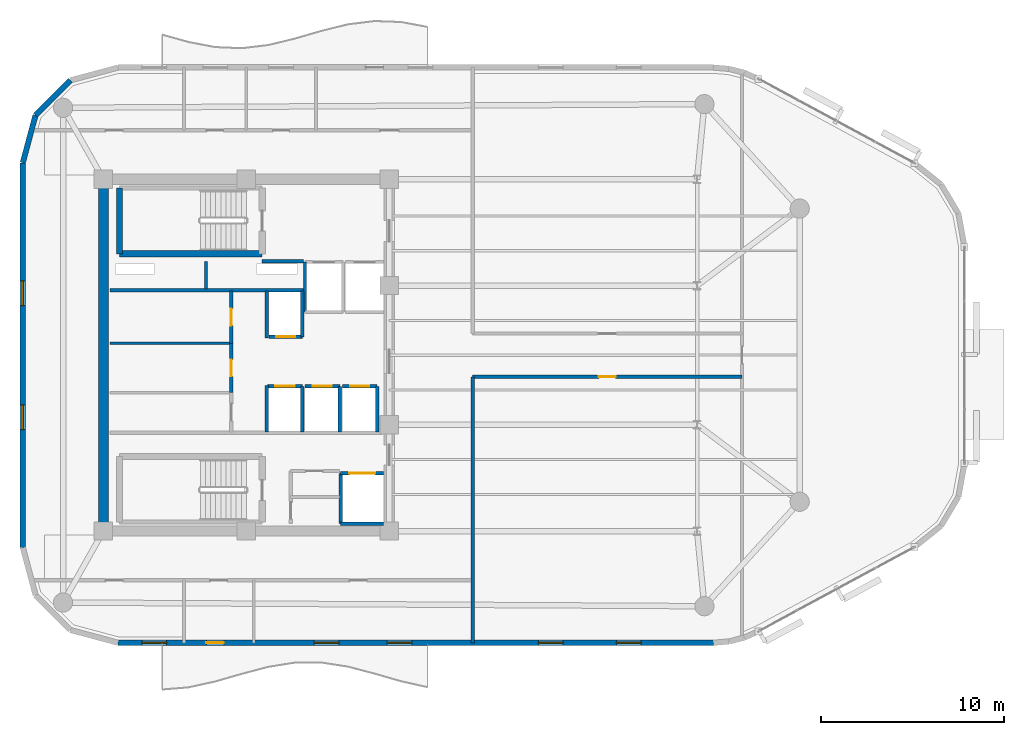
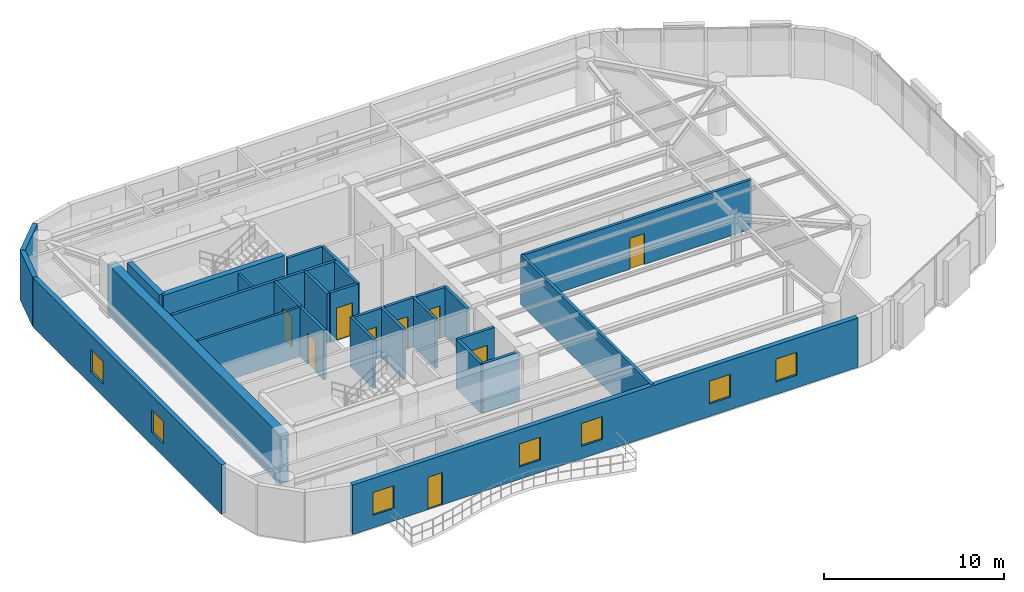
# One storey, part 9 of 13: 29 walls, 9 doors, 7 windows, 16 openings.
"""IFC4 building model written with IfcOpenShell, lengths in metres."""

from ifc_helpers import new_model, si_unit, direction, frame, frame_2d, origin, place, context, subcontext, project, spatial, rectangle, extrude, material, layer, layer_set, type_object, element, fill, save


model = new_model("IFC4")

# Units and contexts
model_context = context("Model", 3, precision=1e-05, world=origin(), true_north=direction((0.0, 1.0)))
body_context = subcontext(model_context, "Body", "Model", "MODEL_VIEW")
ifc_project = project(units=[si_unit("LENGTHUNIT", "METRE"), si_unit("AREAUNIT", "SQUARE_METRE"), si_unit("VOLUMEUNIT", "CUBIC_METRE"), si_unit("PLANEANGLEUNIT", "RADIAN"), si_unit("MASSUNIT", "GRAM", prefix="KILO")], contexts=[model_context])

# Site, building, storey
site_placement = place(None, origin())
site = spatial("IfcSite", under=ifc_project, at=site_placement, CompositionType="ELEMENT")
building_placement = place(site_placement, origin())
building = spatial("IfcBuilding", under=site, at=building_placement, Name="An Khanh Terracotta Commons", CompositionType="ELEMENT")
storey_placement = place(building_placement, frame((0.0, 0.0, 244.5)))
storey = spatial("IfcBuildingStorey", under=building, at=storey_placement, Name="L64", CompositionType="ELEMENT", Elevation=244.5)

# Walls
ifc_material_1 = material(Name="Concrete C50/60", Category="concrete")
ifc_layer_1 = layer(ifc_material_1, 0.550048828125, Name="Concrete C50/60")
ifc_layer_set_1 = layer_set([ifc_layer_1], Name="Concrete C50/60")
wall_type_1 = type_object("IfcWallType", Name="WALL-CORE-550", PredefinedType="SHEAR", material=ifc_layer_set_1)
wall_1_placement = place(storey_placement, frame((21.60009765625, 14.39990234375, 0.0), z_axis=(0.0, 0.0, 1.0), x_axis=(0.0, 1.0, 0.0)))
element("IfcWall", 1, at=wall_1_placement, inside=storey, type_object=wall_type_1, Name="L64 Core Wall CWALL-L64-W", PredefinedType="SHEAR", context=body_context, shape_type="SweptSolid", body=[
    extrude(rectangle(XDim=19.2001953125, YDim=0.550048828125, at=frame_2d((9.60009765625, 0.0))), origin(), (0.0, 0.0, 1.0), 3.360107421875),
])
ifc_material_2 = material(Name="Fire-Rated Gypsum Board on Steel Stud", Category="steel")
ifc_layer_2 = layer(ifc_material_2, 0.179931640625, Name="Fire-Rated Gypsum Board on Steel Stud")
ifc_layer_set_2 = layer_set([ifc_layer_2], Name="Fire-Rated Gypsum Board on Steel Stud")
wall_type_2 = type_object("IfcWallType", Name="WALL-CORR-180", PredefinedType="PARTITIONING", material=ifc_layer_set_2)
wall_2_placement = place(storey_placement, frame((30.27001953125, 29.1201171875, 0.0), z_axis=(0.0, 0.0, 1.0), x_axis=(1.0, 0.0, 0.0)))
element("IfcWall", 2, at=wall_2_placement, inside=storey, type_object=wall_type_2, Name="L64 Core Wall FFLW-L64-S", PredefinedType="PARTITIONING", context=body_context, shape_type="SweptSolid", body=[
    extrude(rectangle(XDim=2.239990234375, YDim=0.179931640625, at=frame_2d((1.1201171875, 0.0))), origin(), (0.0, 0.0, 1.0), 3.360107421875),
])
wall_3_placement = place(storey_placement, frame((21.949951171875, 27.5400390625, 0.0), z_axis=(0.0, 0.0, 1.0), x_axis=(1.0, 0.0, 0.0)))
element("IfcWall", 3, at=wall_3_placement, inside=storey, type_object=wall_type_2, Name="L64 Core Wall RSRW-L64-S", PredefinedType="PARTITIONING", context=body_context, shape_type="SweptSolid", body=[
    extrude(rectangle(XDim=10.56005859375, YDim=0.179931640625, at=frame_2d((5.280029296875, 0.0))), origin(), (0.0, 0.0, 1.0), 3.360107421875),
])
wall_4_placement = place(storey_placement, frame((32.60009765625, 29.080078125, 0.0), z_axis=(0.0, 0.0, 1.0), x_axis=(0.0, -1.0, 0.0)))
element("IfcWall", 4, at=wall_4_placement, inside=storey, type_object=wall_type_2, Name="L64 Core Wall LSH-L64-FFL-01-W", PredefinedType="PARTITIONING", context=body_context, shape_type="SweptSolid", body=[
    extrude(rectangle(XDim=2.72998046875, YDim=0.179931640625, at=frame_2d((1.364990234375, 0.0))), origin(), (0.0, 0.0, 1.0), 3.360107421875),
])

# Wall, opening, door
wall_5_placement = place(storey_placement, frame((34.550048828125, 17.550048828125, 0.0), z_axis=(0.0, 0.0, 1.0), x_axis=(1.0, 0.0, 0.0)))
wall_5 = element("IfcWall", 5, at=wall_5_placement, inside=storey, type_object=wall_type_2, Name="L64 Core Wall LSH-L64-SVL-01-N", PredefinedType="PARTITIONING", context=body_context, shape_type="SweptSolid", body=[
    extrude(rectangle(XDim=2.349853515625, YDim=0.179931640625, at=frame_2d((1.1748046875, 0.0))), origin(), (0.0, 0.0, 1.0), 3.360107421875),
])
opening_1_placement = place(wall_5_placement, frame((0.47509765625, 0.0, 0.0)))
opening_1 = element("IfcOpeningElement", 6, at=opening_1_placement, cuts=wall_5, Name="Opening LD-SVL-01-L64", PredefinedType="OPENING", context=body_context, shape_type="SweptSolid", body=[
    extrude(rectangle(XDim=1.39990234375, YDim=2.300048828125, at=frame_2d((0.699951171875, 1.14990234375))), frame((0.0, 0.099853515625, 0.0), z_axis=(0.0, -1.0, 0.0), x_axis=(1.0, 0.0, 0.0)), (0.0, 0.0, 1.0), 0.199951171875),
])
ifc_material_3 = material(Name="Heavy-Duty Stainless Steel Goods Landing Door", Category="steel")
door_type_1 = type_object("IfcDoorType", Name="DOOR-LD-SVL-1400", OperationType="NOTDEFINED", PredefinedType="DOOR", material=ifc_material_3)
door_1_placement = place(opening_1_placement, origin())
door_1 = element("IfcDoor", 7, at=door_1_placement, inside=storey, type_object=door_type_1, Name="L64 Lift SVL-01 Sliding Landing Door", OperationType="DOUBLE_DOOR_SLIDING", OverallHeight=2.300048828125, OverallWidth=1.39990234375, PredefinedType="DOOR", context=body_context, shape_type="SweptSolid", body=[
    extrude(rectangle(XDim=1.39990234375, YDim=2.300048828125, at=frame_2d((0.699951171875, 1.14990234375))), frame((0.0, 0.02490234375, 0.0), z_axis=(0.0, -1.0, 0.0), x_axis=(1.0, 0.0, 0.0)), (0.0, 0.0, 1.0), 0.050048828125),
])
fill(opening_1, door_1)

# Walls
wall_6_placement = place(storey_placement, frame((36.89990234375, 14.800048828125, 0.0), z_axis=(0.0, 0.0, 1.0), x_axis=(-1.0, 0.0, 0.0)))
element("IfcWall", 8, at=wall_6_placement, inside=storey, type_object=wall_type_2, Name="L64 Core Wall LSH-L64-SVL-01-S", PredefinedType="PARTITIONING", context=body_context, shape_type="SweptSolid", body=[
    extrude(rectangle(XDim=2.349853515625, YDim=0.179931640625, at=frame_2d((1.1748046875, 0.0))), origin(), (0.0, 0.0, 1.0), 3.360107421875),
])
wall_7_placement = place(storey_placement, frame((34.550048828125, 17.550048828125, 0.0), z_axis=(0.0, 0.0, 1.0), x_axis=(0.0, -1.0, 0.0)))
element("IfcWall", 9, at=wall_7_placement, inside=storey, type_object=wall_type_2, Name="L64 Core Wall LSH-L64-SVL-01-W", PredefinedType="PARTITIONING", context=body_context, shape_type="SweptSolid", body=[
    extrude(rectangle(XDim=2.75, YDim=0.179931640625, at=frame_2d((1.375, 0.0))), origin(), (0.0, 0.0, 1.0), 3.360107421875),
])

# Wall, opening, door
wall_8_placement = place(storey_placement, frame((32.4599609375, 25.0, 0.0), z_axis=(0.0, 0.0, 1.0), x_axis=(-1.0, 0.0, 0.0)))
wall_8 = element("IfcWall", 10, at=wall_8_placement, inside=storey, type_object=wall_type_2, Name="L64 Core Wall LSH-L64-PL-H1-S", PredefinedType="PARTITIONING", context=body_context, shape_type="SweptSolid", body=[
    extrude(rectangle(XDim=1.820068359375, YDim=0.179931640625, at=frame_2d((0.91015625, 0.0))), origin(), (0.0, 0.0, 1.0), 3.360107421875),
])
opening_2_placement = place(wall_8_placement, frame((0.385009765625, 0.0, 0.0)))
opening_2 = element("IfcOpeningElement", 11, at=opening_2_placement, cuts=wall_8, Name="Opening LD-PL-H1-L64", PredefinedType="OPENING", context=body_context, shape_type="SweptSolid", body=[
    extrude(rectangle(XDim=1.050048828125, YDim=2.199951171875, at=frame_2d((0.52490234375, 1.10009765625))), frame((0.0, 0.099853515625, 0.0), z_axis=(0.0, -1.0, 0.0), x_axis=(1.0, 0.0, 0.0)), (0.0, 0.0, 1.0), 0.199951171875),
])
ifc_material_4 = material(Name="Brushed Stainless Steel High-Rise Landing Door", Category="steel")
door_type_2 = type_object("IfcDoorType", Name="DOOR-LD-PAXH-1050", OperationType="NOTDEFINED", PredefinedType="DOOR", material=ifc_material_4)
door_2_placement = place(opening_2_placement, origin())
door_2 = element("IfcDoor", 12, at=door_2_placement, inside=storey, type_object=door_type_2, Name="L64 Lift PL-H1 Sliding Landing Door", OperationType="DOUBLE_DOOR_SLIDING", OverallHeight=2.199951171875, OverallWidth=1.050048828125, PredefinedType="DOOR", context=body_context, shape_type="SweptSolid", body=[
    extrude(rectangle(XDim=1.050048828125, YDim=2.199951171875, at=frame_2d((0.52490234375, 1.10009765625))), frame((0.0, 0.02490234375, 0.0), z_axis=(0.0, -1.0, 0.0), x_axis=(1.0, 0.0, 0.0)), (0.0, 0.0, 1.0), 0.050048828125),
])
fill(opening_2, door_2)

# Wall
wall_9_placement = place(storey_placement, frame((32.4599609375, 25.0, 0.0), z_axis=(0.0, 0.0, 1.0), x_axis=(0.0, 1.0, 0.0)))
element("IfcWall", 13, at=wall_9_placement, inside=storey, type_object=wall_type_2, Name="L64 Core Wall LSH-L64-PL-H1-E", PredefinedType="PARTITIONING", context=body_context, shape_type="SweptSolid", body=[
    extrude(rectangle(XDim=2.5, YDim=0.179931640625, at=frame_2d((1.25, 0.0))), origin(), (0.0, 0.0, 1.0), 3.360107421875),
])

# Wall, opening, door
wall_10_placement = place(storey_placement, frame((30.56005859375, 22.300048828125, 0.0), z_axis=(0.0, 0.0, 1.0), x_axis=(1.0, 0.0, 0.0)))
wall_10 = element("IfcWall", 14, at=wall_10_placement, inside=storey, type_object=wall_type_2, Name="L64 Core Wall LSH-L64-PL-H2-N", PredefinedType="PARTITIONING", context=body_context, shape_type="SweptSolid", body=[
    extrude(rectangle(XDim=1.89990234375, YDim=0.179931640625, at=frame_2d((0.949951171875, 0.0))), origin(), (0.0, 0.0, 1.0), 3.360107421875),
])
opening_3_placement = place(wall_10_placement, frame((0.425048828125, 0.0, 0.0)))
opening_3 = element("IfcOpeningElement", 15, at=opening_3_placement, cuts=wall_10, Name="Opening LD-PL-H2-L64", PredefinedType="OPENING", context=body_context, shape_type="SweptSolid", body=[
    extrude(rectangle(XDim=1.050048828125, YDim=2.199951171875, at=frame_2d((0.52490234375, 1.10009765625))), frame((0.0, 0.099853515625, 0.0), z_axis=(0.0, -1.0, 0.0), x_axis=(1.0, 0.0, 0.0)), (0.0, 0.0, 1.0), 0.199951171875),
])
door_3_placement = place(opening_3_placement, origin())
door_3 = element("IfcDoor", 16, at=door_3_placement, inside=storey, type_object=door_type_2, Name="L64 Lift PL-H2 Sliding Landing Door", OperationType="DOUBLE_DOOR_SLIDING", OverallHeight=2.199951171875, OverallWidth=1.050048828125, PredefinedType="DOOR", context=body_context, shape_type="SweptSolid", body=[
    extrude(rectangle(XDim=1.050048828125, YDim=2.199951171875, at=frame_2d((0.52490234375, 1.10009765625))), frame((0.0, 0.02490234375, 0.0), z_axis=(0.0, -1.0, 0.0), x_axis=(1.0, 0.0, 0.0)), (0.0, 0.0, 1.0), 0.050048828125),
])
fill(opening_3, door_3)

# Wall
wall_11_placement = place(storey_placement, frame((32.4599609375, 19.800048828125, 0.0), z_axis=(0.0, 0.0, 1.0), x_axis=(0.0, 1.0, 0.0)))
element("IfcWall", 17, at=wall_11_placement, inside=storey, type_object=wall_type_2, Name="L64 Core Wall LSH-L64-PL-H2-E", PredefinedType="PARTITIONING", context=body_context, shape_type="SweptSolid", body=[
    extrude(rectangle(XDim=2.5, YDim=0.179931640625, at=frame_2d((1.25, 0.0))), origin(), (0.0, 0.0, 1.0), 3.360107421875),
])

# Wall, opening, door
wall_12_placement = place(storey_placement, frame((32.60009765625, 22.300048828125, 0.0), z_axis=(0.0, 0.0, 1.0), x_axis=(1.0, 0.0, 0.0)))
wall_12 = element("IfcWall", 18, at=wall_12_placement, inside=storey, type_object=wall_type_2, Name="L64 Core Wall LSH-L64-PL-H3-N", PredefinedType="PARTITIONING", context=body_context, shape_type="SweptSolid", body=[
    extrude(rectangle(XDim=1.89990234375, YDim=0.179931640625, at=frame_2d((0.949951171875, 0.0))), origin(), (0.0, 0.0, 1.0), 3.360107421875),
])
opening_4_placement = place(wall_12_placement, frame((0.425048828125, 0.0, 0.0)))
opening_4 = element("IfcOpeningElement", 19, at=opening_4_placement, cuts=wall_12, Name="Opening LD-PL-H3-L64", PredefinedType="OPENING", context=body_context, shape_type="SweptSolid", body=[
    extrude(rectangle(XDim=1.050048828125, YDim=2.199951171875, at=frame_2d((0.52490234375, 1.10009765625))), frame((0.0, 0.099853515625, 0.0), z_axis=(0.0, -1.0, 0.0), x_axis=(1.0, 0.0, 0.0)), (0.0, 0.0, 1.0), 0.199951171875),
])
door_4_placement = place(opening_4_placement, origin())
door_4 = element("IfcDoor", 20, at=door_4_placement, inside=storey, type_object=door_type_2, Name="L64 Lift PL-H3 Sliding Landing Door", OperationType="DOUBLE_DOOR_SLIDING", OverallHeight=2.199951171875, OverallWidth=1.050048828125, PredefinedType="DOOR", context=body_context, shape_type="SweptSolid", body=[
    extrude(rectangle(XDim=1.050048828125, YDim=2.199951171875, at=frame_2d((0.52490234375, 1.10009765625))), frame((0.0, 0.02490234375, 0.0), z_axis=(0.0, -1.0, 0.0), x_axis=(1.0, 0.0, 0.0)), (0.0, 0.0, 1.0), 0.050048828125),
])
fill(opening_4, door_4)

# Wall
wall_13_placement = place(storey_placement, frame((34.5, 19.800048828125, 0.0), z_axis=(0.0, 0.0, 1.0), x_axis=(0.0, 1.0, 0.0)))
element("IfcWall", 21, at=wall_13_placement, inside=storey, type_object=wall_type_2, Name="L64 Core Wall LSH-L64-PL-H3-E", PredefinedType="PARTITIONING", context=body_context, shape_type="SweptSolid", body=[
    extrude(rectangle(XDim=2.5, YDim=0.179931640625, at=frame_2d((1.25, 0.0))), origin(), (0.0, 0.0, 1.0), 3.360107421875),
])

# Wall, opening, door
wall_14_placement = place(storey_placement, frame((34.639892578125, 22.300048828125, 0.0), z_axis=(0.0, 0.0, 1.0), x_axis=(1.0, 0.0, 0.0)))
wall_14 = element("IfcWall", 22, at=wall_14_placement, inside=storey, type_object=wall_type_2, Name="L64 Core Wall LSH-L64-PL-H4-N", PredefinedType="PARTITIONING", context=body_context, shape_type="SweptSolid", body=[
    extrude(rectangle(XDim=1.900146484375, YDim=0.179931640625, at=frame_2d((0.9501953125, 0.0))), origin(), (0.0, 0.0, 1.0), 3.360107421875),
])
opening_5_placement = place(wall_14_placement, frame((0.425048828125, 0.0, 0.0)))
opening_5 = element("IfcOpeningElement", 23, at=opening_5_placement, cuts=wall_14, Name="Opening LD-PL-H4-L64", PredefinedType="OPENING", context=body_context, shape_type="SweptSolid", body=[
    extrude(rectangle(XDim=1.050048828125, YDim=2.199951171875, at=frame_2d((0.52490234375, 1.10009765625))), frame((0.0, 0.099853515625, 0.0), z_axis=(0.0, -1.0, 0.0), x_axis=(1.0, 0.0, 0.0)), (0.0, 0.0, 1.0), 0.199951171875),
])
door_5_placement = place(opening_5_placement, origin())
door_5 = element("IfcDoor", 24, at=door_5_placement, inside=storey, type_object=door_type_2, Name="L64 Lift PL-H4 Sliding Landing Door", OperationType="DOUBLE_DOOR_SLIDING", OverallHeight=2.199951171875, OverallWidth=1.050048828125, PredefinedType="DOOR", context=body_context, shape_type="SweptSolid", body=[
    extrude(rectangle(XDim=1.050048828125, YDim=2.199951171875, at=frame_2d((0.52490234375, 1.10009765625))), frame((0.0, 0.02490234375, 0.0), z_axis=(0.0, -1.0, 0.0), x_axis=(1.0, 0.0, 0.0)), (0.0, 0.0, 1.0), 0.050048828125),
])
fill(opening_5, door_5)

# Walls
wall_15_placement = place(storey_placement, frame((36.5400390625, 19.800048828125, 0.0), z_axis=(0.0, 0.0, 1.0), x_axis=(0.0, 1.0, 0.0)))
element("IfcWall", 25, at=wall_15_placement, inside=storey, type_object=wall_type_2, Name="L64 Core Wall LSH-L64-PL-H4-E", PredefinedType="PARTITIONING", context=body_context, shape_type="SweptSolid", body=[
    extrude(rectangle(XDim=2.5, YDim=0.179931640625, at=frame_2d((1.25, 0.0))), origin(), (0.0, 0.0, 1.0), 3.360107421875),
])
for number, where, z_axis, x_axis, name in (
    (26, (30.52001953125, 24.949951171875, 0.0), (0.0, 0.0, 1.0), (0.0, 1.0, 0.0), "L64 Core Wall RECW-L64-BE1"),
    (27, (30.52001953125, 19.800048828125, 0.0), (0.0, 0.0, 1.0), (0.0, 1.0, 0.0), "L64 Core Wall RECW-L64-BE2"),
):
    element("IfcWall", number, at=place(storey_placement, frame(where, z_axis=z_axis, x_axis=x_axis)), inside=storey, type_object=wall_type_2, Name=name, PredefinedType="PARTITIONING", context=body_context, shape_type="SweptSolid", body=[
        extrude(rectangle(XDim=2.550048828125, YDim=0.179931640625, at=frame_2d((1.27490234375, 0.0))), origin(), (0.0, 0.0, 1.0), 3.360107421875),
    ])

# Wall, opening, door
wall_16_placement = place(storey_placement, frame((28.580078125, 24.64990234375, 0.0), z_axis=(0.0, 0.0, 1.0), x_axis=(0.0, 1.0, 0.0)))
wall_16 = element("IfcWall", 28, at=wall_16_placement, inside=storey, type_object=wall_type_2, Name="L64 Core Wall RECW-L64-E1", PredefinedType="PARTITIONING", context=body_context, shape_type="SweptSolid", body=[
    extrude(rectangle(XDim=2.85009765625, YDim=0.179931640625, at=frame_2d((1.425048828125, 0.0))), origin(), (0.0, 0.0, 1.0), 3.360107421875),
])
opening_6_placement = place(wall_16_placement, frame((0.965087890625, 0.0, 0.0)))
opening_6 = element("IfcOpeningElement", 29, at=opening_6_placement, cuts=wall_16, Name="Opening D-RM", PredefinedType="OPENING", context=body_context, shape_type="SweptSolid", body=[
    extrude(rectangle(XDim=0.919921875, YDim=2.10009765625, at=frame_2d((0.4599609375, 1.050048828125))), frame((0.0, 0.099853515625, 0.0), z_axis=(0.0, -1.0, 0.0), x_axis=(1.0, 0.0, 0.0)), (0.0, 0.0, 1.0), 0.199951171875),
])
ifc_material_5 = material(Name="Engineered Hardwood Timber Leaf", Category="wood")
door_type_3 = type_object("IfcDoorType", Name="DOOR-INT-920", OperationType="NOTDEFINED", PredefinedType="DOOR", material=ifc_material_5)
door_6_placement = place(opening_6_placement, origin())
door_6 = element("IfcDoor", 30, at=door_6_placement, inside=storey, type_object=door_type_3, Name="L64 Quiet Focus Pod Door", OperationType="SINGLE_SWING_RIGHT", OverallHeight=2.10009765625, OverallWidth=0.919921875, PredefinedType="DOOR", context=body_context, shape_type="SweptSolid", body=[
    extrude(rectangle(XDim=0.919921875, YDim=2.10009765625, at=frame_2d((0.4599609375, 1.050048828125))), frame((0.0, 0.02490234375, 0.0), z_axis=(0.0, -1.0, 0.0), x_axis=(1.0, 0.0, 0.0)), (0.0, 0.0, 1.0), 0.050048828125),
])
fill(opening_6, door_6)

wall_17_placement = place(storey_placement, frame((28.580078125, 21.949951171875, 0.0), z_axis=(0.0, 0.0, 1.0), x_axis=(0.0, 1.0, 0.0)))
wall_17 = element("IfcWall", 31, at=wall_17_placement, inside=storey, type_object=wall_type_2, Name="L64 Core Wall RECW-L64-E2", PredefinedType="PARTITIONING", context=body_context, shape_type="SweptSolid", body=[
    extrude(rectangle(XDim=2.699951171875, YDim=0.179931640625, at=frame_2d((1.35009765625, 0.0))), origin(), (0.0, 0.0, 1.0), 3.360107421875),
])
opening_7_placement = place(wall_17_placement, frame((0.889892578125, 0.0, 0.0)))
opening_7 = element("IfcOpeningElement", 32, at=opening_7_placement, cuts=wall_17, Name="Opening D-RM", PredefinedType="OPENING", context=body_context, shape_type="SweptSolid", body=[
    extrude(rectangle(XDim=0.919921875, YDim=2.10009765625, at=frame_2d((0.4599609375, 1.050048828125))), frame((0.0, 0.099853515625, 0.0), z_axis=(0.0, -1.0, 0.0), x_axis=(1.0, 0.0, 0.0)), (0.0, 0.0, 1.0), 0.199951171875),
])
door_7_placement = place(opening_7_placement, origin())
door_7 = element("IfcDoor", 33, at=door_7_placement, inside=storey, type_object=door_type_3, Name="L64 Floor Pantry and Tea Room Door", OperationType="SINGLE_SWING_LEFT", OverallHeight=2.10009765625, OverallWidth=0.919921875, PredefinedType="DOOR", context=body_context, shape_type="SweptSolid", body=[
    extrude(rectangle(XDim=0.919921875, YDim=2.10009765625, at=frame_2d((0.4599609375, 1.050048828125))), frame((0.0, 0.02490234375, 0.0), z_axis=(0.0, -1.0, 0.0), x_axis=(1.0, 0.0, 0.0)), (0.0, 0.0, 1.0), 0.050048828125),
])
fill(opening_7, door_7)

wall_18_placement = place(storey_placement, frame((41.75, 22.820068359375, 0.0), z_axis=(0.0, 0.0, 1.0), x_axis=(1.0, 0.0, 0.0)))
wall_18 = element("IfcWall", 34, at=wall_18_placement, inside=storey, type_object=wall_type_2, Name="L64 Interior Partition IW-L64-E002", PredefinedType="PARTITIONING", context=body_context, shape_type="SweptSolid", body=[
    extrude(rectangle(XDim=14.699951171875, YDim=0.179931640625, at=frame_2d((7.35009765625, 0.0))), origin(), (0.0, 0.0, 1.0), 3.360107421875),
])
opening_8_placement = place(wall_18_placement, frame((6.889892578125, 0.0, 0.0)))
opening_8 = element("IfcOpeningElement", 35, at=opening_8_placement, cuts=wall_18, Name="Opening D-RM", PredefinedType="OPENING", context=body_context, shape_type="SweptSolid", body=[
    extrude(rectangle(XDim=0.919921875, YDim=2.10009765625, at=frame_2d((0.4599609375, 1.050048828125))), frame((0.0, 0.099853515625, 0.0), z_axis=(0.0, -1.0, 0.0), x_axis=(1.0, 0.0, 0.0)), (0.0, 0.0, 1.0), 0.199951171875),
])
door_8_placement = place(opening_8_placement, origin())
door_8 = element("IfcDoor", 36, at=door_8_placement, inside=storey, type_object=door_type_3, Name="L64 SPN2 Research Study Office Door", OperationType="SINGLE_SWING_LEFT", OverallHeight=2.10009765625, OverallWidth=0.919921875, PredefinedType="DOOR", context=body_context, shape_type="SweptSolid", body=[
    extrude(rectangle(XDim=0.919921875, YDim=2.10009765625, at=frame_2d((0.4599609375, 1.050048828125))), frame((0.0, 0.02490234375, 0.0), z_axis=(0.0, -1.0, 0.0), x_axis=(1.0, 0.0, 0.0)), (0.0, 0.0, 1.0), 0.050048828125),
])
fill(opening_8, door_8)

# Wall
wall_19_placement = place(storey_placement, frame((41.75, 8.300048828125, 0.0), z_axis=(0.0, 0.0, 1.0), x_axis=(0.0, 1.0, 0.0)))
element("IfcWall", 37, at=wall_19_placement, inside=storey, type_object=wall_type_2, Name="L64 Interior Partition IW-L64-E010", PredefinedType="PARTITIONING", context=body_context, shape_type="SweptSolid", body=[
    extrude(rectangle(XDim=14.52001953125, YDim=0.179931640625, at=frame_2d((7.260009765625, 0.0))), origin(), (0.0, 0.0, 1.0), 3.360107421875),
])

# Wall, openings, door, windows
ifc_material_6 = material(Name="Precast concrete C40/50", Category="concrete")
ifc_layer_3 = layer(ifc_material_6, 0.300048828125, Name="Precast concrete C40/50")
ifc_layer_set_3 = layer_set([ifc_layer_3], Name="Precast concrete C40/50")
wall_type_3 = type_object("IfcWallType", Name="WALL-EXT-300", PredefinedType="SOLIDWALL", material=ifc_layer_set_3)
wall_20_placement = place(storey_placement, frame((22.39990234375, 8.300048828125, 0.0), z_axis=(0.0, 0.0, 1.0), x_axis=(1.0, 0.0, 0.0)))
wall_20 = element("IfcWall", 38, at=wall_20_placement, inside=storey, type_object=wall_type_3, Name="L64 Insulated Terracotta Exterior Wall 4", PredefinedType="SOLIDWALL", context=body_context, shape_type="SweptSolid", body=[
    extrude(rectangle(XDim=32.485107421875, YDim=0.300048828125, at=frame_2d((16.24267578125, 0.0))), origin(), (0.0, 0.0, 1.0), 3.360107421875),
])
opening_9_placement = place(wall_20_placement, frame((4.824951171875, 0.0, 0.0)))
opening_9 = element("IfcOpeningElement", 39, at=opening_9_placement, cuts=wall_20, Name="Opening D-BAL", PredefinedType="OPENING", context=body_context, shape_type="SweptSolid", body=[
    extrude(rectangle(XDim=0.949951171875, YDim=2.199951171875, at=frame_2d((0.47509765625, 1.10009765625))), frame((0.0, 0.159912109375, 0.0), z_axis=(0.0, -1.0, 0.0), x_axis=(1.0, 0.0, 0.0)), (0.0, 0.0, 1.0), 0.320068359375),
])
opening_10_placement = place(wall_20_placement, frame((1.300048828125, 0.0, 0.85009765625)))
opening_10 = element("IfcOpeningElement", 40, at=opening_10_placement, cuts=wall_20, Name="Opening W-04", PredefinedType="OPENING", context=body_context, shape_type="SweptSolid", body=[
    extrude(rectangle(XDim=1.35009765625, YDim=1.550048828125, at=frame_2d((0.675048828125, 0.77490234375))), frame((0.0, 0.159912109375, 0.0), z_axis=(0.0, -1.0, 0.0), x_axis=(1.0, 0.0, 0.0)), (0.0, 0.0, 1.0), 0.320068359375),
])
opening_11_placement = place(wall_20_placement, frame((10.7080078125, 0.0, 0.85009765625)))
opening_11 = element("IfcOpeningElement", 41, at=opening_11_placement, cuts=wall_20, Name="Opening W-04", PredefinedType="OPENING", context=body_context, shape_type="SweptSolid", body=[
    extrude(rectangle(XDim=1.35009765625, YDim=1.550048828125, at=frame_2d((0.675048828125, 0.77490234375))), frame((0.0, 0.159912109375, 0.0), z_axis=(0.0, -1.0, 0.0), x_axis=(1.0, 0.0, 0.0)), (0.0, 0.0, 1.0), 0.320068359375),
])
opening_12_placement = place(wall_20_placement, frame((14.69189453125, 0.0, 0.85009765625)))
opening_12 = element("IfcOpeningElement", 42, at=opening_12_placement, cuts=wall_20, Name="Opening W-04", PredefinedType="OPENING", context=body_context, shape_type="SweptSolid", body=[
    extrude(rectangle(XDim=1.35009765625, YDim=1.550048828125, at=frame_2d((0.675048828125, 0.77490234375))), frame((0.0, 0.159912109375, 0.0), z_axis=(0.0, -1.0, 0.0), x_axis=(1.0, 0.0, 0.0)), (0.0, 0.0, 1.0), 0.320068359375),
])
opening_13_placement = place(wall_20_placement, frame((22.93701171875, 0.0, 0.85009765625)))
opening_13 = element("IfcOpeningElement", 43, at=opening_13_placement, cuts=wall_20, Name="Opening W-04", PredefinedType="OPENING", context=body_context, shape_type="SweptSolid", body=[
    extrude(rectangle(XDim=1.35009765625, YDim=1.550048828125, at=frame_2d((0.675048828125, 0.77490234375))), frame((0.0, 0.159912109375, 0.0), z_axis=(0.0, -1.0, 0.0), x_axis=(1.0, 0.0, 0.0)), (0.0, 0.0, 1.0), 0.320068359375),
])
opening_14_placement = place(wall_20_placement, frame((27.197998046875, 0.0, 0.85009765625)))
opening_14 = element("IfcOpeningElement", 44, at=opening_14_placement, cuts=wall_20, Name="Opening W-04", PredefinedType="OPENING", context=body_context, shape_type="SweptSolid", body=[
    extrude(rectangle(XDim=1.35009765625, YDim=1.550048828125, at=frame_2d((0.675048828125, 0.77490234375))), frame((0.0, 0.159912109375, 0.0), z_axis=(0.0, -1.0, 0.0), x_axis=(1.0, 0.0, 0.0)), (0.0, 0.0, 1.0), 0.320068359375),
])
ifc_material_7 = material(Name="Thermally Broken Aluminium and Low-E Glass", Category="aluminium")
door_type_4 = type_object("IfcDoorType", Name="DOOR-BALC-950", OperationType="NOTDEFINED", PredefinedType="DOOR", material=ifc_material_7)
door_9_placement = place(opening_9_placement, origin())
door_9 = element("IfcDoor", 45, at=door_9_placement, inside=storey, type_object=door_type_4, Name="L64 S Wave Balcony Glazed Door", OperationType="SINGLE_SWING_LEFT", OverallHeight=2.199951171875, OverallWidth=0.949951171875, PredefinedType="DOOR", context=body_context, shape_type="SweptSolid", body=[
    extrude(rectangle(XDim=0.949951171875, YDim=2.199951171875, at=frame_2d((0.47509765625, 1.10009765625))), frame((0.0, 0.02490234375, 0.0), z_axis=(0.0, -1.0, 0.0), x_axis=(1.0, 0.0, 0.0)), (0.0, 0.0, 1.0), 0.050048828125),
])
fill(opening_9, door_9)
window_type = type_object("IfcWindowType", Name="WIN-Z4-1350x1550", PartitioningType="SINGLE_PANEL", PredefinedType="WINDOW", material=ifc_material_7)
window_1_placement = place(opening_10_placement, origin())
window_1 = element("IfcWindow", 46, at=window_1_placement, inside=storey, type_object=window_type, Name="L64 Operable Casement Window 4.1", OverallHeight=1.550048828125, OverallWidth=1.35009765625, PartitioningType="SINGLE_PANEL", PredefinedType="WINDOW", context=body_context, shape_type="SweptSolid", body=[
    extrude(rectangle(XDim=1.35009765625, YDim=1.550048828125, at=frame_2d((0.675048828125, 0.77490234375))), frame((0.0, 0.030029296875, 0.0), z_axis=(0.0, -1.0, 0.0), x_axis=(1.0, 0.0, 0.0)), (0.0, 0.0, 1.0), 0.06005859375),
])
fill(opening_10, window_1)
window_2_placement = place(opening_11_placement, origin())
window_2 = element("IfcWindow", 47, at=window_2_placement, inside=storey, type_object=window_type, Name="L64 Operable Casement Window 4.2", OverallHeight=1.550048828125, OverallWidth=1.35009765625, PartitioningType="SINGLE_PANEL", PredefinedType="WINDOW", context=body_context, shape_type="SweptSolid", body=[
    extrude(rectangle(XDim=1.35009765625, YDim=1.550048828125, at=frame_2d((0.675048828125, 0.77490234375))), frame((0.0, 0.030029296875, 0.0), z_axis=(0.0, -1.0, 0.0), x_axis=(1.0, 0.0, 0.0)), (0.0, 0.0, 1.0), 0.06005859375),
])
fill(opening_11, window_2)
window_3_placement = place(opening_12_placement, origin())
window_3 = element("IfcWindow", 48, at=window_3_placement, inside=storey, type_object=window_type, Name="L64 Operable Casement Window 4.3", OverallHeight=1.550048828125, OverallWidth=1.35009765625, PartitioningType="SINGLE_PANEL", PredefinedType="WINDOW", context=body_context, shape_type="SweptSolid", body=[
    extrude(rectangle(XDim=1.35009765625, YDim=1.550048828125, at=frame_2d((0.675048828125, 0.77490234375))), frame((0.0, 0.030029296875, 0.0), z_axis=(0.0, -1.0, 0.0), x_axis=(1.0, 0.0, 0.0)), (0.0, 0.0, 1.0), 0.06005859375),
])
fill(opening_12, window_3)
window_4_placement = place(opening_13_placement, origin())
window_4 = element("IfcWindow", 49, at=window_4_placement, inside=storey, type_object=window_type, Name="L64 Operable Casement Window 4.4", OverallHeight=1.550048828125, OverallWidth=1.35009765625, PartitioningType="SINGLE_PANEL", PredefinedType="WINDOW", context=body_context, shape_type="SweptSolid", body=[
    extrude(rectangle(XDim=1.35009765625, YDim=1.550048828125, at=frame_2d((0.675048828125, 0.77490234375))), frame((0.0, 0.030029296875, 0.0), z_axis=(0.0, -1.0, 0.0), x_axis=(1.0, 0.0, 0.0)), (0.0, 0.0, 1.0), 0.06005859375),
])
fill(opening_13, window_4)
window_5_placement = place(opening_14_placement, origin())
window_5 = element("IfcWindow", 50, at=window_5_placement, inside=storey, type_object=window_type, Name="L64 Operable Casement Window 4.5", OverallHeight=1.550048828125, OverallWidth=1.35009765625, PartitioningType="SINGLE_PANEL", PredefinedType="WINDOW", context=body_context, shape_type="SweptSolid", body=[
    extrude(rectangle(XDim=1.35009765625, YDim=1.550048828125, at=frame_2d((0.675048828125, 0.77490234375))), frame((0.0, 0.030029296875, 0.0), z_axis=(0.0, -1.0, 0.0), x_axis=(1.0, 0.0, 0.0)), (0.0, 0.0, 1.0), 0.06005859375),
])
fill(opening_14, window_5)

# Walls
wall_21_placement = place(storey_placement, frame((19.800048828125, 39.0029296875, 0.0), z_axis=(0.0, 0.0, 1.0), x_axis=(-0.707152139074, -0.70706142039, 0.0)))
element("IfcWall", 51, at=wall_21_placement, inside=storey, type_object=wall_type_3, Name="L64 Insulated Terracotta Exterior Wall 22", PredefinedType="SOLIDWALL", context=body_context, shape_type="SweptSolid", body=[
    extrude(rectangle(XDim=2.691162109375, YDim=0.300048828125, at=frame_2d((1.345703125, 0.0))), origin(), (0.0, 0.0, 1.0), 3.360107421875),
])
wall_22_placement = place(storey_placement, frame((17.89697265625, 37.10009765625, 0.0), z_axis=(0.0, 0.0, 1.0), x_axis=(-0.258932525951, -0.965895412042, 0.0)))
element("IfcWall", 52, at=wall_22_placement, inside=storey, type_object=wall_type_3, Name="L64 Insulated Terracotta Exterior Wall 23", PredefinedType="SOLIDWALL", context=body_context, shape_type="SweptSolid", body=[
    extrude(rectangle(XDim=2.69189453125, YDim=0.300048828125, at=frame_2d((1.345947265625, 0.0))), origin(), (0.0, 0.0, 1.0), 3.360107421875),
])

# Wall, openings, windows
wall_23_placement = place(storey_placement, frame((17.199951171875, 34.5, 0.0), z_axis=(0.0, 0.0, 1.0), x_axis=(0.0, -1.0, 0.0)))
wall_23 = element("IfcWall", 53, at=wall_23_placement, inside=storey, type_object=wall_type_3, Name="L64 Insulated Terracotta Exterior Wall 24", PredefinedType="SOLIDWALL", context=body_context, shape_type="SweptSolid", body=[
    extrude(rectangle(XDim=21.0, YDim=0.300048828125, at=frame_2d((10.5, 0.0))), origin(), (0.0, 0.0, 1.0), 3.360107421875),
])
opening_15_placement = place(wall_23_placement, frame((6.44189453125, 0.0, 0.85009765625)))
opening_15 = element("IfcOpeningElement", 54, at=opening_15_placement, cuts=wall_23, Name="Opening W-04", PredefinedType="OPENING", context=body_context, shape_type="SweptSolid", body=[
    extrude(rectangle(XDim=1.35009765625, YDim=1.550048828125, at=frame_2d((0.675048828125, 0.77490234375))), frame((0.0, 0.159912109375, 0.0), z_axis=(0.0, -1.0, 0.0), x_axis=(1.0, 0.0, 0.0)), (0.0, 0.0, 1.0), 0.320068359375),
])
opening_16_placement = place(wall_23_placement, frame((13.2080078125, 0.0, 0.85009765625)))
opening_16 = element("IfcOpeningElement", 55, at=opening_16_placement, cuts=wall_23, Name="Opening W-04", PredefinedType="OPENING", context=body_context, shape_type="SweptSolid", body=[
    extrude(rectangle(XDim=1.35009765625, YDim=1.550048828125, at=frame_2d((0.675048828125, 0.77490234375))), frame((0.0, 0.159912109375, 0.0), z_axis=(0.0, -1.0, 0.0), x_axis=(1.0, 0.0, 0.0)), (0.0, 0.0, 1.0), 0.320068359375),
])
window_6_placement = place(opening_15_placement, origin())
window_6 = element("IfcWindow", 56, at=window_6_placement, inside=storey, type_object=window_type, Name="L64 Operable Casement Window 24.1", OverallHeight=1.550048828125, OverallWidth=1.35009765625, PartitioningType="SINGLE_PANEL", PredefinedType="WINDOW", context=body_context, shape_type="SweptSolid", body=[
    extrude(rectangle(XDim=1.35009765625, YDim=1.550048828125, at=frame_2d((0.675048828125, 0.77490234375))), frame((0.0, 0.030029296875, 0.0), z_axis=(0.0, -1.0, 0.0), x_axis=(1.0, 0.0, 0.0)), (0.0, 0.0, 1.0), 0.06005859375),
])
fill(opening_15, window_6)
window_7_placement = place(opening_16_placement, origin())
window_7 = element("IfcWindow", 57, at=window_7_placement, inside=storey, type_object=window_type, Name="L64 Operable Casement Window 24.2", OverallHeight=1.550048828125, OverallWidth=1.35009765625, PartitioningType="SINGLE_PANEL", PredefinedType="WINDOW", context=body_context, shape_type="SweptSolid", body=[
    extrude(rectangle(XDim=1.35009765625, YDim=1.550048828125, at=frame_2d((0.675048828125, 0.77490234375))), frame((0.0, 0.030029296875, 0.0), z_axis=(0.0, -1.0, 0.0), x_axis=(1.0, 0.0, 0.0)), (0.0, 0.0, 1.0), 0.06005859375),
])
fill(opening_16, window_7)

# Walls
ifc_material_8 = material(Name="Acoustic Gypsum Board Partition")
ifc_layer_4 = layer(ifc_material_8, 0.14990234375, Name="Acoustic Gypsum Board Partition")
ifc_layer_set_4 = layer_set([ifc_layer_4], Name="Acoustic Gypsum Board Partition")
wall_type_4 = type_object("IfcWallType", Name="WALL-PART-150", PredefinedType="PARTITIONING", material=ifc_layer_set_4)
wall_24_placement = place(storey_placement, frame((27.199951171875, 27.60009765625, 0.0), z_axis=(0.0, 0.0, 1.0), x_axis=(0.0, 1.0, 0.0)))
element("IfcWall", 58, at=wall_24_placement, inside=storey, type_object=wall_type_4, Name="L64 Core Wall RSRW-L64-D1", PredefinedType="PARTITIONING", context=body_context, shape_type="SweptSolid", body=[
    extrude(rectangle(XDim=1.52001953125, YDim=0.14990234375, at=frame_2d((0.760009765625, 0.0))), origin(), (0.0, 0.0, 1.0), 3.360107421875),
])
wall_25_placement = place(storey_placement, frame((21.949951171875, 24.64990234375, 0.0), z_axis=(0.0, 0.0, 1.0), x_axis=(1.0, 0.0, 0.0)))
element("IfcWall", 59, at=wall_25_placement, inside=storey, type_object=wall_type_4, Name="L64 Core Wall RECW-L64-H1", PredefinedType="PARTITIONING", context=body_context, shape_type="SweptSolid", body=[
    extrude(rectangle(XDim=6.630126953125, YDim=0.14990234375, at=frame_2d((3.31494140625, 0.0))), origin(), (0.0, 0.0, 1.0), 3.360107421875),
])
ifc_layer_5 = layer(ifc_material_1, 0.35009765625, Name="Concrete C50/60")
ifc_layer_set_5 = layer_set([ifc_layer_5], Name="Concrete C50/60")
wall_type_5 = type_object("IfcWallType", Name="WALL-SHAFT-350", PredefinedType="SOLIDWALL", material=ifc_layer_set_5)
wall_26_placement = place(storey_placement, frame((22.47998046875, 29.530029296875, 0.0), z_axis=(0.0, 0.0, 1.0), x_axis=(1.0, 0.0, 0.0)))
element("IfcWall", 60, at=wall_26_placement, inside=storey, type_object=wall_type_5, Name="L64 Core Wall STW-L64-N-S", PredefinedType="SOLIDWALL", context=body_context, shape_type="SweptSolid", body=[
    extrude(rectangle(XDim=7.7900390625, YDim=0.35009765625, at=frame_2d((3.89501953125, 0.0))), origin(), (0.0, 0.0, 1.0), 3.360107421875),
])
wall_27_placement = place(storey_placement, frame((22.47998046875, 29.530029296875, 0.0), z_axis=(0.0, 0.0, 1.0), x_axis=(0.0, 1.0, 0.0)))
element("IfcWall", 61, at=wall_27_placement, inside=storey, type_object=wall_type_5, Name="L64 Core Wall STW-L64-N-W", PredefinedType="SOLIDWALL", context=body_context, shape_type="SweptSolid", body=[
    extrude(rectangle(XDim=3.580078125, YDim=0.35009765625, at=frame_2d((1.7900390625, 0.0))), origin(), (0.0, 0.0, 1.0), 3.360107421875),
])

save(model, "model.ifc")
